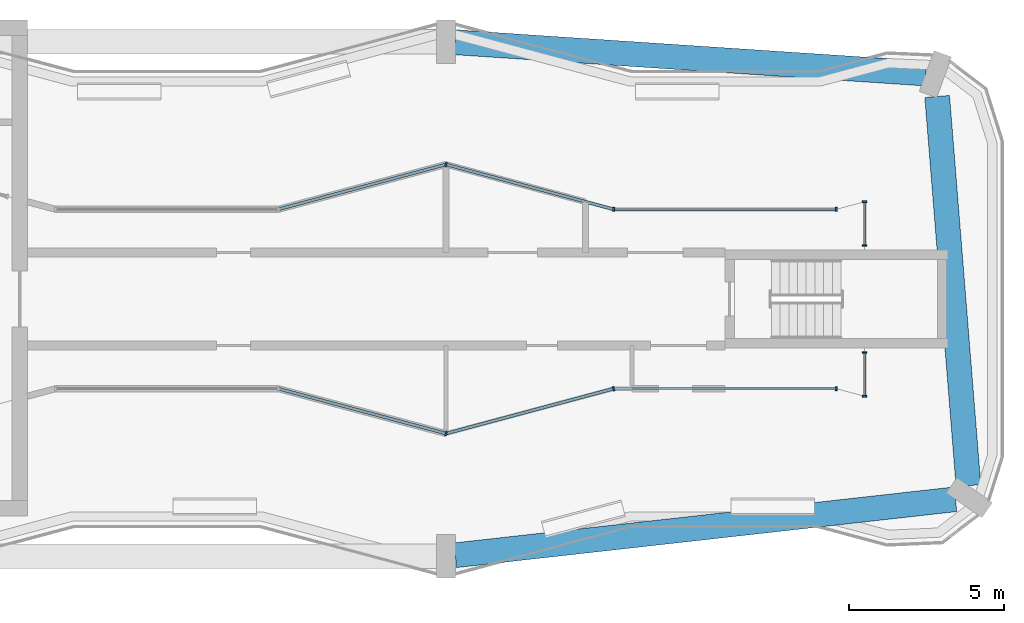
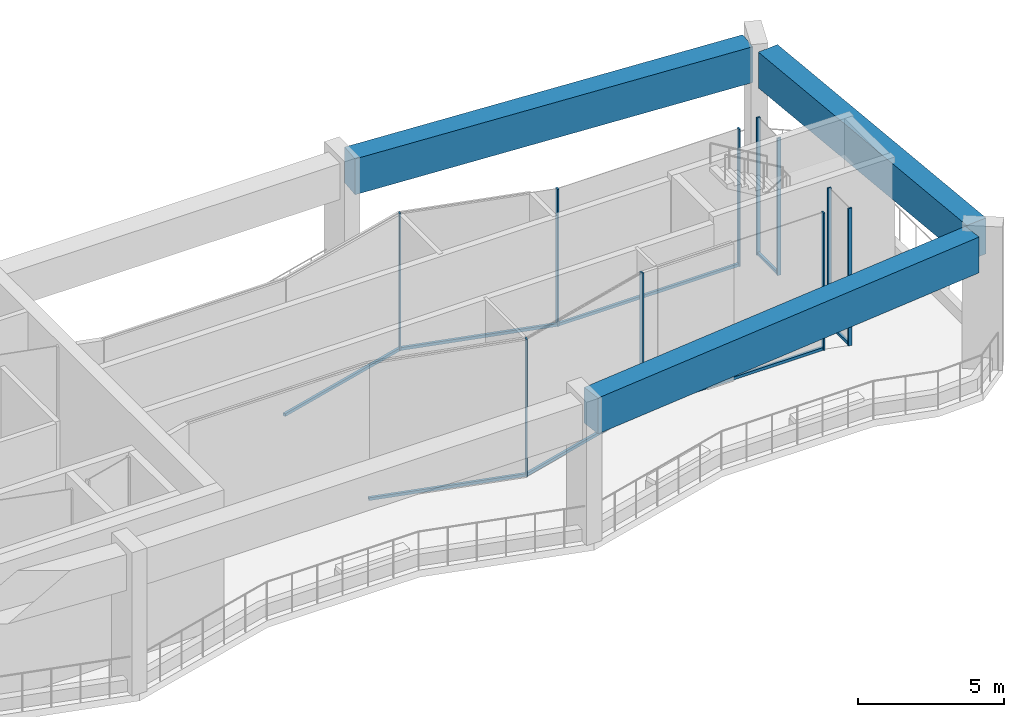
# One storey, part 5 of 12: 18 members, 3 beams, 8 elements without a shape of their own.
"""IFC4 building model written with IfcOpenShell, lengths in metres."""

from ifc_helpers import new_model, si_unit, direction, frame, origin, origin_2d, place, context, subcontext, project, spatial, rectangle, extrude, material, layer, layer_set, material_profile, profile_set, type_object, element, aggregate, save


model = new_model("IFC4")

# Units and contexts
model_context = context("Model", 3, precision=1e-05, world=origin(), true_north=direction((0.0, 1.0)))
body_context = subcontext(model_context, "Body", "Model", "MODEL_VIEW")
ifc_project = project(units=[si_unit("LENGTHUNIT", "METRE"), si_unit("AREAUNIT", "SQUARE_METRE"), si_unit("VOLUMEUNIT", "CUBIC_METRE"), si_unit("PLANEANGLEUNIT", "RADIAN"), si_unit("MASSUNIT", "GRAM", prefix="KILO")], contexts=[model_context])

# Site, building, storey
site_placement = place(None, origin())
site = spatial("IfcSite", under=ifc_project, at=site_placement, CompositionType="ELEMENT")
building_placement = place(site_placement, origin())
building = spatial("IfcBuilding", under=site, at=building_placement, Name="Plateau Cross Towers", CompositionType="ELEMENT")
storey_placement = place(building_placement, frame((0.0, 0.0, 236.39990234375)))
storey = spatial("IfcBuildingStorey", under=building, at=storey_placement, Name="L62", CompositionType="ELEMENT", Elevation=236.39990234375)

# Beams
ifc_material_1 = material(Name="Concrete C60/75", Category="concrete")
ifc_material_profile_1 = material_profile(ifc_material_1, rectangle(XDim=0.800048828125, YDim=1.5, at=origin_2d()), Name="RC 800x1500")
ifc_profile_set_1 = profile_set([ifc_material_profile_1], Name="Concrete C60/75")
beam_type = type_object("IfcBeamType", Name="Belt beam RC 800x1500", PredefinedType="BEAM", material=ifc_profile_set_1)
beam_1_placement = place(storey_placement, frame((36.300048828125, 0.733642578125, 5.0), z_axis=(0.993793168794, 0.111243596035, 0.0), x_axis=(-0.111243596035, 0.993793168794, 0.0)))
element("IfcBeam", 1, at=beam_1_placement, inside=storey, type_object=beam_type, Name="BELT-L62-02", PredefinedType="BEAM", context=body_context, shape_type="SweptSolid", body=[
    extrude(rectangle(XDim=0.800048828125, YDim=1.5, at=origin_2d()), origin(), (0.0, 0.0, 1.0), 16.23388671875),
])
beam_2_placement = place(storey_placement, frame((52.85302734375, 2.97802734375, 5.0), z_axis=(-0.080067998508, 0.996789403844, 0.0), x_axis=(-0.996789403844, -0.080067998508, 0.0)))
element("IfcBeam", 2, at=beam_2_placement, inside=storey, type_object=beam_type, Name="BELT-L62-03", PredefinedType="BEAM", context=body_context, shape_type="SweptSolid", body=[
    extrude(rectangle(XDim=0.800048828125, YDim=1.5, at=origin_2d()), origin(), (0.0, 0.0, 1.0), 12.59619140625),
])
beam_3_placement = place(storey_placement, frame((51.47509765625, 16.272705078125, 5.0), z_axis=(-0.99780408253, 0.06623452941, 0.0), x_axis=(-0.06623452941, -0.99780408253, 0.0)))
element("IfcBeam", 3, at=beam_3_placement, inside=storey, type_object=beam_type, Name="BELT-L62-04", PredefinedType="BEAM", context=body_context, shape_type="SweptSolid", body=[
    extrude(rectangle(XDim=0.800048828125, YDim=1.5, at=origin_2d()), origin(), (0.0, 0.0, 1.0), 15.20849609375),
])

# Curtain wall, member
ifc_material_2 = material(Name="Dark low-iron glass", Category="glass")
ifc_layer = layer(ifc_material_2, 0.239990234375)
ifc_layer_set = layer_set([ifc_layer], Name="Dark low-iron glass")
curtain_wall_type = type_object("IfcCurtainWallType", Name="Curtain wall flush unitised CW-B", PredefinedType="NOTDEFINED", material=ifc_layer_set)
curtain_wall_1_placement = place(storey_placement, origin())
curtain_wall_1 = element("IfcCurtainWall", 4, at=curtain_wall_1_placement, inside=storey, type_object=curtain_wall_type, Name="ENV/A/L62/inner0_360_133", PredefinedType="NOTDEFINED")
ifc_material_3 = material(Name="Black anodised aluminium", Category="aluminium")
ifc_material_profile_2 = material_profile(ifc_material_3, rectangle(XDim=0.06005859375, YDim=0.139892578125, at=origin_2d()), Name="MULLION 60x140")
ifc_profile_set_2 = profile_set([ifc_material_profile_2], Name="Black anodised aluminium")
member_type_1 = type_object("IfcMemberType", Name="Mullion 60x140 flush unitised", PredefinedType="MULLION", material=ifc_profile_set_2)
member_1_placement = place(storey_placement, frame((36.0, 13.34130859375, 0.0), z_axis=(0.0, 0.0, 1.0), x_axis=(0.965957983404, -0.258699003279, 0.0)))
member_1 = element("IfcMember", 5, at=member_1_placement, type_object=member_type_1, Name="CW-B mullion 1", PredefinedType="MULLION", context=body_context, shape_type="SweptSolid", body=[
    extrude(rectangle(XDim=0.06005859375, YDim=0.139892578125, at=origin_2d()), origin(), (0.0, 0.0, 1.0), 5.75),
])

# Curtain wall, members
curtain_wall_2_placement = place(storey_placement, origin())
curtain_wall_2 = element("IfcCurtainWall", 6, at=curtain_wall_2_placement, inside=storey, type_object=curtain_wall_type, Name="ENV/A/L62/inner0_414_119", PredefinedType="NOTDEFINED")
member_2_placement = place(storey_placement, frame((41.407958984375, 11.89306640625, 0.0), z_axis=(0.0, 0.0, 1.0), x_axis=(1.0, 0.0, 0.0)))
member_2 = element("IfcMember", 7, at=member_2_placement, type_object=member_type_1, Name="CW-B mullion 1", PredefinedType="MULLION", context=body_context, shape_type="SweptSolid", body=[
    extrude(rectangle(XDim=0.06005859375, YDim=0.139892578125, at=origin_2d()), origin(), (0.0, 0.0, 1.0), 5.75),
])
member_3_placement = place(storey_placement, frame((48.592041015625, 11.89306640625, 0.0), z_axis=(0.0, 0.0, 1.0), x_axis=(1.0, 0.0, 0.0)))
member_3 = element("IfcMember", 8, at=member_3_placement, type_object=member_type_1, Name="CW-B mullion 2", PredefinedType="MULLION", context=body_context, shape_type="SweptSolid", body=[
    extrude(rectangle(XDim=0.06005859375, YDim=0.139892578125, at=origin_2d()), origin(), (0.0, 0.0, 1.0), 5.75),
])

curtain_wall_3_placement = place(storey_placement, origin())
curtain_wall_3 = element("IfcCurtainWall", 9, at=curtain_wall_3_placement, inside=storey, type_object=curtain_wall_type, Name="ENV/A/L62/inner0_495_121", PredefinedType="NOTDEFINED")
member_4_placement = place(storey_placement, frame((49.5, 12.13623046875, 0.0), z_axis=(0.0, 0.0, 1.0), x_axis=(0.0, -1.0, 0.0)))
member_4 = element("IfcMember", 10, at=member_4_placement, type_object=member_type_1, Name="CW-B mullion 1", PredefinedType="MULLION", context=body_context, shape_type="SweptSolid", body=[
    extrude(rectangle(XDim=0.06005859375, YDim=0.139892578125, at=origin_2d()), origin(), (0.0, 0.0, 1.0), 5.75),
])
member_5_placement = place(storey_placement, frame((49.5, 10.72509765625, 0.0), z_axis=(0.0, 0.0, 1.0), x_axis=(0.0, -1.0, 0.0)))
member_5 = element("IfcMember", 11, at=member_5_placement, type_object=member_type_1, Name="CW-B mullion 2", PredefinedType="MULLION", context=body_context, shape_type="SweptSolid", body=[
    extrude(rectangle(XDim=0.06005859375, YDim=0.139892578125, at=origin_2d()), origin(), (0.0, 0.0, 1.0), 5.75),
])

curtain_wall_4_placement = place(storey_placement, origin())
curtain_wall_4 = element("IfcCurtainWall", 12, at=curtain_wall_4_placement, inside=storey, type_object=curtain_wall_type, Name="ENV/A/L62/inner0_495_73", PredefinedType="NOTDEFINED")
member_6_placement = place(storey_placement, frame((49.5, 7.27490234375, 0.0), z_axis=(0.0, 0.0, 1.0), x_axis=(0.0, -1.0, 0.0)))
member_6 = element("IfcMember", 13, at=member_6_placement, type_object=member_type_1, Name="CW-B mullion 1", PredefinedType="MULLION", context=body_context, shape_type="SweptSolid", body=[
    extrude(rectangle(XDim=0.06005859375, YDim=0.139892578125, at=origin_2d()), origin(), (0.0, 0.0, 1.0), 5.75),
])
member_7_placement = place(storey_placement, frame((49.5, 5.86376953125, 0.0), z_axis=(0.0, 0.0, 1.0), x_axis=(0.0, -1.0, 0.0)))
member_7 = element("IfcMember", 14, at=member_7_placement, type_object=member_type_1, Name="CW-B mullion 2", PredefinedType="MULLION", context=body_context, shape_type="SweptSolid", body=[
    extrude(rectangle(XDim=0.06005859375, YDim=0.139892578125, at=origin_2d()), origin(), (0.0, 0.0, 1.0), 5.75),
])

# Curtain wall, member
curtain_wall_5_placement = place(storey_placement, origin())
curtain_wall_5 = element("IfcCurtainWall", 15, at=curtain_wall_5_placement, inside=storey, type_object=curtain_wall_type, Name="ENV/A/L62/inner0_486_61", PredefinedType="NOTDEFINED")
member_8_placement = place(storey_placement, frame((48.592041015625, 6.10693359375, 0.0), z_axis=(0.0, 0.0, 1.0), x_axis=(-1.0, 0.0, 0.0)))
member_8 = element("IfcMember", 16, at=member_8_placement, type_object=member_type_1, Name="CW-B mullion 1", PredefinedType="MULLION", context=body_context, shape_type="SweptSolid", body=[
    extrude(rectangle(XDim=0.06005859375, YDim=0.139892578125, at=origin_2d()), origin(), (0.0, 0.0, 1.0), 5.75),
])

curtain_wall_6_placement = place(storey_placement, origin())
curtain_wall_6 = element("IfcCurtainWall", 17, at=curtain_wall_6_placement, inside=storey, type_object=curtain_wall_type, Name="ENV/A/L62/inner0_414_61", PredefinedType="NOTDEFINED")
member_9_placement = place(storey_placement, frame((41.407958984375, 6.10693359375, 0.0), z_axis=(0.0, 0.0, 1.0), x_axis=(-0.965957983404, -0.258699003279, 0.0)))
member_9 = element("IfcMember", 18, at=member_9_placement, type_object=member_type_1, Name="CW-B mullion 1", PredefinedType="MULLION", context=body_context, shape_type="SweptSolid", body=[
    extrude(rectangle(XDim=0.06005859375, YDim=0.139892578125, at=origin_2d()), origin(), (0.0, 0.0, 1.0), 5.75),
])

curtain_wall_7_placement = place(storey_placement, origin())
curtain_wall_7 = element("IfcCurtainWall", 19, at=curtain_wall_7_placement, inside=storey, type_object=curtain_wall_type, Name="ENV/A/L62/inner0_360_47", PredefinedType="NOTDEFINED")
member_10_placement = place(storey_placement, frame((36.0, 4.65869140625, 0.0), z_axis=(0.0, 0.0, 1.0), x_axis=(-0.965957983404, 0.258699003279, 0.0)))
member_10 = element("IfcMember", 20, at=member_10_placement, type_object=member_type_1, Name="CW-B mullion 1", PredefinedType="MULLION", context=body_context, shape_type="SweptSolid", body=[
    extrude(rectangle(XDim=0.06005859375, YDim=0.139892578125, at=origin_2d()), origin(), (0.0, 0.0, 1.0), 5.75),
])

curtain_wall_8_placement = place(storey_placement, origin())
curtain_wall_8 = element("IfcCurtainWall", 21, at=curtain_wall_8_placement, inside=storey, type_object=curtain_wall_type, Name="ENV/A/L62/inner0_306_119", PredefinedType="NOTDEFINED")
ifc_material_profile_3 = material_profile(ifc_material_3, rectangle(XDim=0.10009765625, YDim=0.1201171875, at=origin_2d()), Name="TRANSOM 100x120")
ifc_profile_set_3 = profile_set([ifc_material_profile_3], Name="Black anodised aluminium")
member_type_2 = type_object("IfcMemberType", Name="Transom 100x120 flush unitised", PredefinedType="USERDEFINED", material=ifc_profile_set_3)
member_11_placement = place(storey_placement, frame((30.592041015625, 11.89306640625, 0.06005859375), z_axis=(0.965962257376, 0.25868304414, 0.0), x_axis=(-0.25868304414, 0.965962257376, 0.0)))
member_11 = element("IfcMember", 22, at=member_11_placement, type_object=member_type_2, Name="CW-B transom", ObjectType="TRANSOM", PredefinedType="USERDEFINED", context=body_context, shape_type="SweptSolid", body=[
    extrude(rectangle(XDim=0.10009765625, YDim=0.1201171875, at=origin_2d()), origin(), (0.0, 0.0, 1.0), 5.5986328125),
])
aggregate(curtain_wall_8, [member_11])

# Member
member_12_placement = place(storey_placement, frame((36.0, 13.34130859375, 0.06005859375), z_axis=(0.965962257376, -0.25868304414, 0.0), x_axis=(0.25868304414, 0.965962257376, 0.0)))
member_12 = element("IfcMember", 23, at=member_12_placement, type_object=member_type_2, Name="CW-B transom", ObjectType="TRANSOM", PredefinedType="USERDEFINED", context=body_context, shape_type="SweptSolid", body=[
    extrude(rectangle(XDim=0.10009765625, YDim=0.1201171875, at=origin_2d()), origin(), (0.0, 0.0, 1.0), 5.5986328125),
])

aggregate(curtain_wall_1, [member_1, member_12])

member_13_placement = place(storey_placement, frame((41.407958984375, 11.89306640625, 0.06005859375), z_axis=(1.0, 0.0, 0.0), x_axis=(0.0, 1.0, 0.0)))
member_13 = element("IfcMember", 24, at=member_13_placement, type_object=member_type_2, Name="CW-B transom", ObjectType="TRANSOM", PredefinedType="USERDEFINED", context=body_context, shape_type="SweptSolid", body=[
    extrude(rectangle(XDim=0.10009765625, YDim=0.1201171875, at=origin_2d()), origin(), (0.0, 0.0, 1.0), 7.18408203125),
])

aggregate(curtain_wall_2, [member_2, member_3, member_13])

member_14_placement = place(storey_placement, frame((49.5, 12.13623046875, 0.06005859375), z_axis=(0.0, -1.0, 0.0), x_axis=(1.0, 0.0, 0.0)))
member_14 = element("IfcMember", 25, at=member_14_placement, type_object=member_type_2, Name="CW-B transom", ObjectType="TRANSOM", PredefinedType="USERDEFINED", context=body_context, shape_type="SweptSolid", body=[
    extrude(rectangle(XDim=0.10009765625, YDim=0.1201171875, at=origin_2d()), origin(), (0.0, 0.0, 1.0), 1.4111328125),
])

aggregate(curtain_wall_3, [member_4, member_5, member_14])

member_15_placement = place(storey_placement, frame((49.5, 7.27490234375, 0.06005859375), z_axis=(0.0, -1.0, 0.0), x_axis=(1.0, 0.0, 0.0)))
member_15 = element("IfcMember", 26, at=member_15_placement, type_object=member_type_2, Name="CW-B transom", ObjectType="TRANSOM", PredefinedType="USERDEFINED", context=body_context, shape_type="SweptSolid", body=[
    extrude(rectangle(XDim=0.10009765625, YDim=0.1201171875, at=origin_2d()), origin(), (0.0, 0.0, 1.0), 1.4111328125),
])

aggregate(curtain_wall_4, [member_6, member_7, member_15])

member_16_placement = place(storey_placement, frame((48.592041015625, 6.10693359375, 0.06005859375), z_axis=(-1.0, 0.0, 0.0), x_axis=(0.0, -1.0, 0.0)))
member_16 = element("IfcMember", 27, at=member_16_placement, type_object=member_type_2, Name="CW-B transom", ObjectType="TRANSOM", PredefinedType="USERDEFINED", context=body_context, shape_type="SweptSolid", body=[
    extrude(rectangle(XDim=0.10009765625, YDim=0.1201171875, at=origin_2d()), origin(), (0.0, 0.0, 1.0), 7.18408203125),
])

aggregate(curtain_wall_5, [member_8, member_16])

member_17_placement = place(storey_placement, frame((41.407958984375, 6.10693359375, 0.06005859375), z_axis=(-0.965962257376, -0.25868304414, 0.0), x_axis=(0.25868304414, -0.965962257376, 0.0)))
member_17 = element("IfcMember", 28, at=member_17_placement, type_object=member_type_2, Name="CW-B transom", ObjectType="TRANSOM", PredefinedType="USERDEFINED", context=body_context, shape_type="SweptSolid", body=[
    extrude(rectangle(XDim=0.10009765625, YDim=0.1201171875, at=origin_2d()), origin(), (0.0, 0.0, 1.0), 5.5986328125),
])

aggregate(curtain_wall_6, [member_9, member_17])

member_18_placement = place(storey_placement, frame((36.0, 4.65869140625, 0.06005859375), z_axis=(-0.965962257376, 0.25868304414, 0.0), x_axis=(-0.25868304414, -0.965962257376, 0.0)))
member_18 = element("IfcMember", 29, at=member_18_placement, type_object=member_type_2, Name="CW-B transom", ObjectType="TRANSOM", PredefinedType="USERDEFINED", context=body_context, shape_type="SweptSolid", body=[
    extrude(rectangle(XDim=0.10009765625, YDim=0.1201171875, at=origin_2d()), origin(), (0.0, 0.0, 1.0), 5.5986328125),
])

aggregate(curtain_wall_7, [member_10, member_18])

save(model, "model.ifc")
